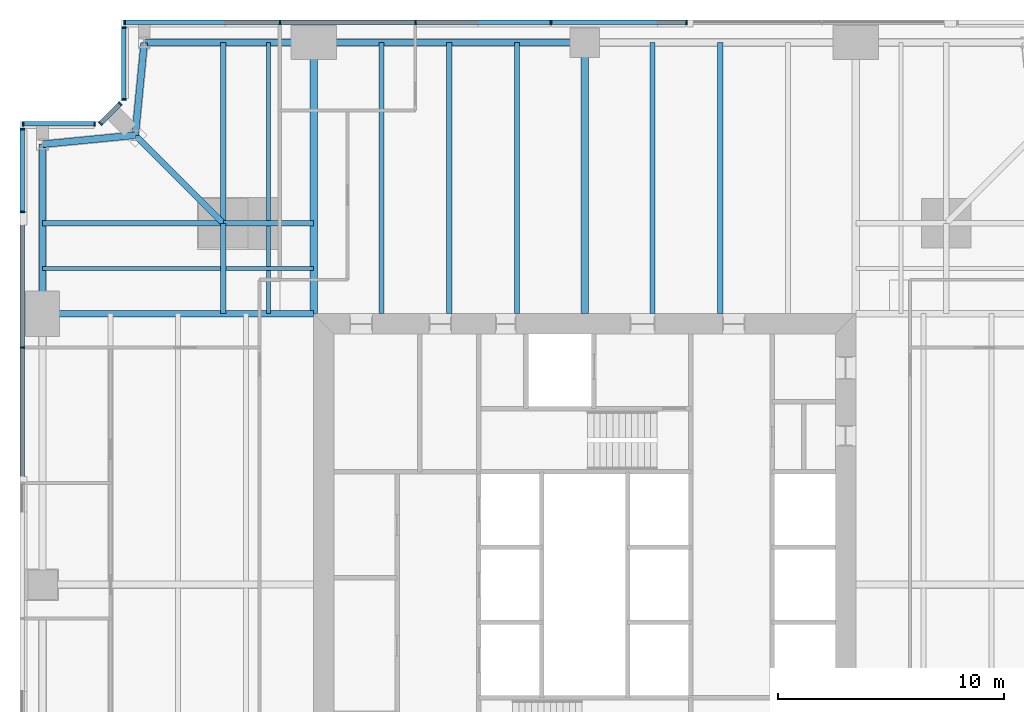
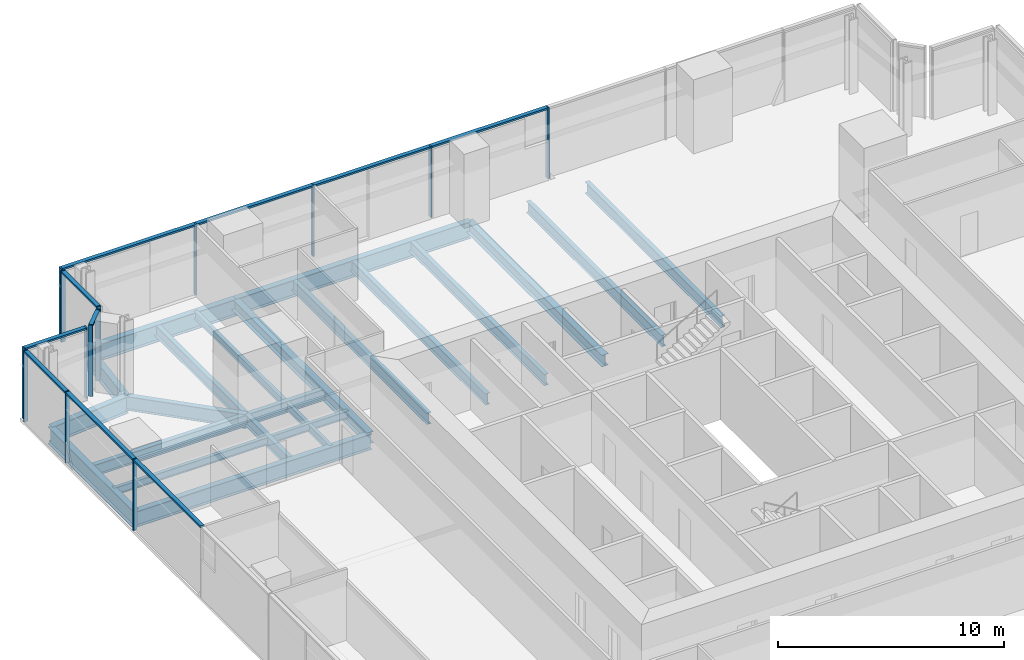
# One storey, part 6 of 13: 24 members, 23 beams, 5 elements without a shape of their own.
"""IFC4 building model written with IfcOpenShell, lengths in metres."""

from ifc_helpers import new_model, si_unit, direction, frame, origin, origin_2d, place, context, subcontext, project, spatial, rectangle, i_section, extrude, material, material_profile, profile_set, type_object, element, aggregate, save


model = new_model("IFC4")

# Units and contexts
model_context = context("Model", 3, precision=1e-05, world=origin(), true_north=direction((0.0, 1.0)))
body_context = subcontext(model_context, "Body", "Model", "MODEL_VIEW")
ifc_project = project(units=[si_unit("LENGTHUNIT", "METRE"), si_unit("AREAUNIT", "SQUARE_METRE"), si_unit("VOLUMEUNIT", "CUBIC_METRE"), si_unit("PLANEANGLEUNIT", "RADIAN"), si_unit("MASSUNIT", "GRAM", prefix="KILO")], contexts=[model_context])

# Site, building, storey
site_placement = place(None, origin())
site = spatial("IfcSite", under=ifc_project, at=site_placement, CompositionType="ELEMENT")
building_placement = place(site_placement, origin())
building = spatial("IfcBuilding", under=site, at=building_placement, Name="Fenwick Lantern Interchange", CompositionType="ELEMENT")
storey_placement = place(building_placement, frame((0.0, 0.0, 142.39990234375)))
storey = spatial("IfcBuildingStorey", under=building, at=storey_placement, Name="L33", CompositionType="ELEMENT", Elevation=142.39990234375)

# Beams
ifc_material_1 = material(Name="Steel ASTM A992 Grade 50", Category="steel")
ifc_material_profile_1 = material_profile(ifc_material_1, i_section(OverallWidth=0.3046875, OverallDepth=0.911865234375, WebThickness=0.015869140625, FlangeThickness=0.02392578125, at=origin_2d()), Name="W36X150")
ifc_profile_set_1 = profile_set([ifc_material_profile_1], Name="Steel ASTM A992 Grade 50")
beam_type_1 = type_object("IfcBeamType", Name="EDGE BEAM W36X150", PredefinedType="SPANDREL", material=ifc_profile_set_1)
beam_1_placement = place(storey_placement, frame((25.0, 49.0, -0.605712890625), z_axis=(-1.0, 0.0, 0.0), x_axis=(0.0, -1.0, 0.0)))
element("IfcBeam", 1, at=beam_1_placement, inside=storey, type_object=beam_type_1, Name="L33/FR/N/EB3", PredefinedType="SPANDREL", context=body_context, shape_type="SweptSolid", body=[
    extrude(i_section(OverallWidth=0.3046875, OverallDepth=0.911865234375, WebThickness=0.015869140625, FlangeThickness=0.02392578125, at=origin_2d()), origin(), (0.0, 0.0, 1.0), 12.0),
])
beam_2_placement = place(storey_placement, frame((13.0, 49.0, -0.605712890625), z_axis=(-1.0, 0.0, 0.0), x_axis=(0.0, -1.0, 0.0)))
element("IfcBeam", 2, at=beam_2_placement, inside=storey, type_object=beam_type_1, Name="L33/FR/N/EB4", PredefinedType="SPANDREL", context=body_context, shape_type="SweptSolid", body=[
    extrude(i_section(OverallWidth=0.3046875, OverallDepth=0.911865234375, WebThickness=0.015869140625, FlangeThickness=0.02392578125, at=origin_2d()), origin(), (0.0, 0.0, 1.0), 7.5),
])
for number, where, z_axis, x_axis, name in (
    (3, (5.5, 49.0, -0.605712890625), (-0.097074191287, -0.995277148028, 0.0), (0.995277148028, -0.097074191287, 0.0), "L33/FR/N/EBR1"),
    (4, (5.10009765625, 44.89990234375, -0.605712890625), (-0.995277148028, -0.097074191287, 0.0), (0.097074191287, -0.995277148028, 0.0), "L33/FR/N/EBR2"),
):
    element("IfcBeam", number, at=place(storey_placement, frame(where, z_axis=z_axis, x_axis=x_axis)), inside=storey, type_object=beam_type_1, Name=name, PredefinedType="SPANDREL", context=body_context, shape_type="SweptSolid", body=[
        extrude(i_section(OverallWidth=0.3046875, OverallDepth=0.911865234375, WebThickness=0.015869140625, FlangeThickness=0.02392578125, at=origin_2d()), origin(), (0.0, 0.0, 1.0), 4.11962890625),
    ])
beam_3_placement = place(storey_placement, frame((1.0, 44.5, -0.605712890625), z_axis=(0.0, -1.0, 0.0), x_axis=(1.0, 0.0, 0.0)))
element("IfcBeam", 5, at=beam_3_placement, inside=storey, type_object=beam_type_1, Name="L33/FR/W/EB1", PredefinedType="SPANDREL", context=body_context, shape_type="SweptSolid", body=[
    extrude(i_section(OverallWidth=0.3046875, OverallDepth=0.911865234375, WebThickness=0.015869140625, FlangeThickness=0.02392578125, at=origin_2d()), origin(), (0.0, 0.0, 1.0), 7.5),
])
ifc_material_profile_2 = material_profile(ifc_material_1, i_section(OverallWidth=0.22900390625, OverallDepth=0.612060546875, WebThickness=0.011962890625, FlangeThickness=0.01953125, at=origin_2d()), Name="W24X84")
ifc_profile_set_2 = profile_set([ifc_material_profile_2], Name="Steel ASTM A992 Grade 50")
beam_type_2 = type_object("IfcBeamType", Name="FLOOR BEAM W24X84", PredefinedType="BEAM", material=ifc_profile_set_2)
for number, where, z_axis, x_axis, name in (
    (6, (31.0, 49.0, -0.4560546875), (0.0, -1.0, 0.0), (1.0, 0.0, 0.0), "L33/FR/N/R03"),
    (7, (28.0, 49.0, -0.4560546875), (0.0, -1.0, 0.0), (1.0, 0.0, 0.0), "L33/FR/N/R04"),
    (8, (22.0, 49.0, -0.4560546875), (0.0, -1.0, 0.0), (1.0, 0.0, 0.0), "L33/FR/N/R06"),
    (9, (19.0, 49.0, -0.4560546875), (0.0, -1.0, 0.0), (1.0, 0.0, 0.0), "L33/FR/N/R07"),
    (10, (16.0, 49.0, -0.4560546875), (0.0, -1.0, 0.0), (1.0, 0.0, 0.0), "L33/FR/N/R08"),
):
    element("IfcBeam", number, at=place(storey_placement, frame(where, z_axis=z_axis, x_axis=x_axis)), inside=storey, type_object=beam_type_2, Name=name, PredefinedType="BEAM", context=body_context, shape_type="SweptSolid", body=[
        extrude(i_section(OverallWidth=0.22900390625, OverallDepth=0.612060546875, WebThickness=0.011962890625, FlangeThickness=0.01953125, at=origin_2d()), origin(), (0.0, 0.0, 1.0), 12.0),
    ])
ifc_material_profile_3 = material_profile(ifc_material_1, i_section(OverallWidth=0.177734375, OverallDepth=0.406494140625, WebThickness=0.0078125, FlangeThickness=0.012939453125, at=origin_2d()), Name="W16X40")
ifc_profile_set_3 = profile_set([ifc_material_profile_3], Name="Steel ASTM A992 Grade 50")
beam_type_3 = type_object("IfcBeamType", Name="INFILL BEAM W16X40", PredefinedType="JOIST", material=ifc_profile_set_3)
beam_4_placement = place(storey_placement, frame((1.0, 39.0, -0.35302734375), z_axis=(1.0, 0.0, 0.0), x_axis=(0.0, 1.0, 0.0)))
element("IfcBeam", 11, at=beam_4_placement, inside=storey, type_object=beam_type_3, Name="L33/FR/W/J1", PredefinedType="JOIST", context=body_context, shape_type="SweptSolid", body=[
    extrude(i_section(OverallWidth=0.177734375, OverallDepth=0.406494140625, WebThickness=0.0078125, FlangeThickness=0.012939453125, at=origin_2d()), origin(), (0.0, 0.0, 1.0), 7.885498046875),
])
beam_5_placement = place(storey_placement, frame((9.114501953125, 39.0, -0.35302734375), z_axis=(1.0, 0.0, 0.0), x_axis=(0.0, 1.0, 0.0)))
element("IfcBeam", 12, at=beam_5_placement, inside=storey, type_object=beam_type_3, Name="L33/FR/W/J2", PredefinedType="JOIST", context=body_context, shape_type="SweptSolid", body=[
    extrude(i_section(OverallWidth=0.177734375, OverallDepth=0.406494140625, WebThickness=0.0078125, FlangeThickness=0.012939453125, at=origin_2d()), origin(), (0.0, 0.0, 1.0), 3.885498046875),
])
beam_6_placement = place(storey_placement, frame((11.0, 49.0, -0.35302734375), z_axis=(0.0, -1.0, 0.0), x_axis=(1.0, 0.0, 0.0)))
element("IfcBeam", 13, at=beam_6_placement, inside=storey, type_object=beam_type_3, Name="L33/FR/W/J3", PredefinedType="JOIST", context=body_context, shape_type="SweptSolid", body=[
    extrude(i_section(OverallWidth=0.177734375, OverallDepth=0.406494140625, WebThickness=0.0078125, FlangeThickness=0.012939453125, at=origin_2d()), origin(), (0.0, 0.0, 1.0), 7.885498046875),
])
beam_7_placement = place(storey_placement, frame((11.0, 40.885498046875, -0.35302734375), z_axis=(0.0, -1.0, 0.0), x_axis=(1.0, 0.0, 0.0)))
element("IfcBeam", 14, at=beam_7_placement, inside=storey, type_object=beam_type_3, Name="L33/FR/W/J4", PredefinedType="JOIST", context=body_context, shape_type="SweptSolid", body=[
    extrude(i_section(OverallWidth=0.177734375, OverallDepth=0.406494140625, WebThickness=0.0078125, FlangeThickness=0.012939453125, at=origin_2d()), origin(), (0.0, 0.0, 1.0), 1.796630859375),
])
beam_8_placement = place(storey_placement, frame((11.0, 38.9111328125, -0.35302734375), z_axis=(0.0, -1.0, 0.0), x_axis=(1.0, 0.0, 0.0)))
element("IfcBeam", 15, at=beam_8_placement, inside=storey, type_object=beam_type_3, Name="L33/FR/W/J5", PredefinedType="JOIST", context=body_context, shape_type="SweptSolid", body=[
    extrude(i_section(OverallWidth=0.177734375, OverallDepth=0.406494140625, WebThickness=0.0078125, FlangeThickness=0.012939453125, at=origin_2d()), origin(), (0.0, 0.0, 1.0), 1.9111328125),
])
ifc_material_profile_4 = material_profile(ifc_material_1, i_section(OverallWidth=0.22900390625, OverallDepth=0.612060546875, WebThickness=0.011962890625, FlangeThickness=0.01953125, at=origin_2d()), Name="W24X84")
ifc_profile_set_4 = profile_set([ifc_material_profile_4], Name="Steel ASTM A992 Grade 50")
beam_type_4 = type_object("IfcBeamType", Name="MEGA COLUMN BEAM W24X84", PredefinedType="BEAM", material=ifc_profile_set_4)
for number, where, z_axis, x_axis, name in (
    (16, (9.0, 41.0, -0.4560546875), (-1.0, 0.0, 0.0), (0.0, -1.0, 0.0), "L33/FR/W/MB1"),
    (17, (9.0, 41.0, -0.4560546875), (0.0, 1.0, 0.0), (-1.0, 0.0, 0.0), "L33/FR/W/MB2"),
):
    element("IfcBeam", number, at=place(storey_placement, frame(where, z_axis=z_axis, x_axis=x_axis)), inside=storey, type_object=beam_type_4, Name=name, PredefinedType="BEAM", context=body_context, shape_type="SweptSolid", body=[
        extrude(i_section(OverallWidth=0.22900390625, OverallDepth=0.612060546875, WebThickness=0.011962890625, FlangeThickness=0.01953125, at=origin_2d()), origin(), (0.0, 0.0, 1.0), 8.0),
    ])
for number, where, z_axis, x_axis, name in (
    (18, (9.0, 41.0, -0.4560546875), (0.0, -1.0, 0.0), (1.0, 0.0, 0.0), "L33/FR/W/MB3"),
    (19, (9.0, 41.0, -0.4560546875), (1.0, 0.0, 0.0), (0.0, 1.0, 0.0), "L33/FR/W/MB4"),
):
    element("IfcBeam", number, at=place(storey_placement, frame(where, z_axis=z_axis, x_axis=x_axis)), inside=storey, type_object=beam_type_4, Name=name, PredefinedType="BEAM", context=body_context, shape_type="SweptSolid", body=[
        extrude(i_section(OverallWidth=0.22900390625, OverallDepth=0.612060546875, WebThickness=0.011962890625, FlangeThickness=0.01953125, at=origin_2d()), origin(), (0.0, 0.0, 1.0), 4.0),
    ])
ifc_material_profile_5 = material_profile(ifc_material_1, i_section(OverallWidth=0.32763671875, OverallDepth=0.622314453125, WebThickness=0.015380859375, FlangeThickness=0.0244140625, at=origin_2d()), Name="W24X131")
ifc_profile_set_5 = profile_set([ifc_material_profile_5], Name="Steel ASTM A992 Grade 50")
beam_type_5 = type_object("IfcBeamType", Name="MOMENT-CONNECTED GIRDER W24X131", PredefinedType="BEAM", material=ifc_profile_set_5)
for number, where, z_axis, x_axis, name in (
    (20, (25.0, 49.0, -0.4609375), (0.0, -1.0, 0.0), (1.0, 0.0, 0.0), "L33/FR/N/R05"),
    (21, (13.0, 49.0, -0.4609375), (0.0, -1.0, 0.0), (1.0, 0.0, 0.0), "L33/FR/N/R09"),
):
    element("IfcBeam", number, at=place(storey_placement, frame(where, z_axis=z_axis, x_axis=x_axis)), inside=storey, type_object=beam_type_5, Name=name, PredefinedType="BEAM", context=body_context, shape_type="SweptSolid", body=[
        extrude(i_section(OverallWidth=0.32763671875, OverallDepth=0.622314453125, WebThickness=0.015380859375, FlangeThickness=0.0244140625, at=origin_2d()), origin(), (0.0, 0.0, 1.0), 12.0),
    ])
ifc_material_profile_6 = material_profile(ifc_material_1, i_section(OverallWidth=0.2919921875, OverallDepth=0.845703125, WebThickness=0.015380859375, FlangeThickness=0.0244140625, at=origin_2d()), Name="W33X141")
ifc_profile_set_6 = profile_set([ifc_material_profile_6], Name="Steel ASTM A992 Grade 50")
beam_type_6 = type_object("IfcBeamType", Name="MOMENT-CONNECTED GIRDER W33X141", PredefinedType="BEAM", material=ifc_profile_set_6)
beam_9_placement = place(storey_placement, frame((1.0, 37.0, -0.57275390625), z_axis=(1.0, 0.0, 0.0), x_axis=(0.0, 1.0, 0.0)))
element("IfcBeam", 22, at=beam_9_placement, inside=storey, type_object=beam_type_6, Name="L33/FR/W/R01", PredefinedType="BEAM", context=body_context, shape_type="SweptSolid", body=[
    extrude(i_section(OverallWidth=0.2919921875, OverallDepth=0.845703125, WebThickness=0.015380859375, FlangeThickness=0.0244140625, at=origin_2d()), origin(), (0.0, 0.0, 1.0), 12.0),
])
ifc_material_profile_7 = material_profile(ifc_material_1, i_section(OverallWidth=0.2666015625, OverallDepth=0.7568359375, WebThickness=0.013916015625, FlangeThickness=0.019287109375, at=origin_2d()), Name="W30X108")
ifc_profile_set_7 = profile_set([ifc_material_profile_7], Name="Steel ASTM A992 Grade 50")
beam_type_7 = type_object("IfcBeamType", Name="NOTCH BEAM W30X108", PredefinedType="BEAM", material=ifc_profile_set_7)
beam_10_placement = place(storey_placement, frame((9.0, 41.0, -0.5283203125), z_axis=(-0.707106781187, 0.707106781187, 0.0), x_axis=(-0.707106781187, -0.707106781187, 0.0)))
element("IfcBeam", 23, at=beam_10_placement, inside=storey, type_object=beam_type_7, Name="L33/FR/W/TG", PredefinedType="BEAM", context=body_context, shape_type="SweptSolid", body=[
    extrude(i_section(OverallWidth=0.2666015625, OverallDepth=0.7568359375, WebThickness=0.013916015625, FlangeThickness=0.019287109375, at=origin_2d()), origin(), (0.0, 0.0, 1.0), 5.515380859375),
])

# Curtain wall, members
ifc_material_2 = material(Name="Aluminium curtain wall frame", Category="aluminium")
curtain_wall_type = type_object("IfcCurtainWallType", Name="OFFICE CURTAIN WALL", PredefinedType="USERDEFINED", material=ifc_material_2)
curtain_wall_1_placement = place(storey_placement, origin())
curtain_wall_1 = element("IfcCurtainWall", 24, at=curtain_wall_1_placement, inside=storey, type_object=curtain_wall_type, Name="Office curtain wall 09", ObjectType="OFFICE CURTAIN WALL", PredefinedType="USERDEFINED")
ifc_material_3 = material(Name="Aluminium extrusion", Category="aluminium")
ifc_material_profile_8 = material_profile(ifc_material_3, rectangle(XDim=0.199951171875, YDim=0.06494140625, at=origin_2d()), Name="OFFICE CURTAIN WALL MULLION 65 X 200")
ifc_profile_set_8 = profile_set([ifc_material_profile_8], Name="Aluminium extrusion")
member_type_1 = type_object("IfcMemberType", Name="OFFICE CURTAIN WALL MULLION 65 X 200", PredefinedType="MULLION", material=ifc_profile_set_8)
member_1_placement = place(storey_placement, frame((29.5, 49.89990234375, 0.0), z_axis=(0.0, 0.0, 1.0), x_axis=(0.0, -1.0, 0.0)))
member_1 = element("IfcMember", 25, at=member_1_placement, type_object=member_type_1, Name="L33/CW/09/M03", PredefinedType="MULLION", context=body_context, shape_type="SweptSolid", body=[
    extrude(rectangle(XDim=0.199951171875, YDim=0.06494140625, at=origin_2d()), origin(), (0.0, 0.0, 1.0), 3.85009765625),
])
member_2_placement = place(storey_placement, frame((23.5, 49.89990234375, 0.0), z_axis=(0.0, 0.0, 1.0), x_axis=(0.0, -1.0, 0.0)))
member_2 = element("IfcMember", 26, at=member_2_placement, type_object=member_type_1, Name="L33/CW/09/M04", PredefinedType="MULLION", context=body_context, shape_type="SweptSolid", body=[
    extrude(rectangle(XDim=0.199951171875, YDim=0.06494140625, at=origin_2d()), origin(), (0.0, 0.0, 1.0), 3.85009765625),
])
member_3_placement = place(storey_placement, frame((17.5, 49.89990234375, 0.0), z_axis=(0.0, 0.0, 1.0), x_axis=(0.0, -1.0, 0.0)))
member_3 = element("IfcMember", 27, at=member_3_placement, type_object=member_type_1, Name="L33/CW/09/M05", PredefinedType="MULLION", context=body_context, shape_type="SweptSolid", body=[
    extrude(rectangle(XDim=0.199951171875, YDim=0.06494140625, at=origin_2d()), origin(), (0.0, 0.0, 1.0), 3.85009765625),
])
member_4_placement = place(storey_placement, frame((11.5, 49.89990234375, 0.0), z_axis=(0.0, 0.0, 1.0), x_axis=(0.0, -1.0, 0.0)))
member_4 = element("IfcMember", 28, at=member_4_placement, type_object=member_type_1, Name="L33/CW/09/M06", PredefinedType="MULLION", context=body_context, shape_type="SweptSolid", body=[
    extrude(rectangle(XDim=0.199951171875, YDim=0.06494140625, at=origin_2d()), origin(), (0.0, 0.0, 1.0), 3.85009765625),
])
member_5_placement = place(storey_placement, frame((4.632568359375, 49.89990234375, 0.0), z_axis=(0.0, 0.0, 1.0), x_axis=(0.0, -1.0, 0.0)))
member_5 = element("IfcMember", 29, at=member_5_placement, type_object=member_type_1, Name="L33/CW/09/M07", PredefinedType="MULLION", context=body_context, shape_type="SweptSolid", body=[
    extrude(rectangle(XDim=0.199951171875, YDim=0.06494140625, at=origin_2d()), origin(), (0.0, 0.0, 1.0), 3.85009765625),
])

curtain_wall_2_placement = place(storey_placement, origin())
curtain_wall_2 = element("IfcCurtainWall", 30, at=curtain_wall_2_placement, inside=storey, type_object=curtain_wall_type, Name="Office curtain wall 10", ObjectType="OFFICE CURTAIN WALL", PredefinedType="USERDEFINED")
member_6_placement = place(storey_placement, frame((4.60009765625, 49.66748046875, 0.0), z_axis=(0.0, 0.0, 1.0), x_axis=(1.0, 0.0, 0.0)))
member_6 = element("IfcMember", 31, at=member_6_placement, type_object=member_type_1, Name="L33/CW/10/M00", PredefinedType="MULLION", context=body_context, shape_type="SweptSolid", body=[
    extrude(rectangle(XDim=0.199951171875, YDim=0.06494140625, at=origin_2d()), origin(), (0.0, 0.0, 1.0), 3.85009765625),
])
member_7_placement = place(storey_placement, frame((4.60009765625, 46.490966796875, 0.0), z_axis=(0.0, 0.0, 1.0), x_axis=(1.0, 0.0, 0.0)))
member_7 = element("IfcMember", 32, at=member_7_placement, type_object=member_type_1, Name="L33/CW/10/M01", PredefinedType="MULLION", context=body_context, shape_type="SweptSolid", body=[
    extrude(rectangle(XDim=0.199951171875, YDim=0.06494140625, at=origin_2d()), origin(), (0.0, 0.0, 1.0), 3.85009765625),
])

curtain_wall_3_placement = place(storey_placement, origin())
curtain_wall_3 = element("IfcCurtainWall", 33, at=curtain_wall_3_placement, inside=storey, type_object=curtain_wall_type, Name="Office curtain wall 11", ObjectType="OFFICE CURTAIN WALL", PredefinedType="USERDEFINED")
member_8_placement = place(storey_placement, frame((4.435546875, 46.294189453125, 0.0), z_axis=(0.0, 0.0, 1.0), x_axis=(0.707106781187, -0.707106781187, 0.0)))
member_8 = element("IfcMember", 34, at=member_8_placement, type_object=member_type_1, Name="L33/CW/11/M00", PredefinedType="MULLION", context=body_context, shape_type="SweptSolid", body=[
    extrude(rectangle(XDim=0.199951171875, YDim=0.06494140625, at=origin_2d()), origin(), (0.0, 0.0, 1.0), 3.85009765625),
])
member_9_placement = place(storey_placement, frame((3.564453125, 45.423095703125, 0.0), z_axis=(0.0, 0.0, 1.0), x_axis=(0.707106781187, -0.707106781187, 0.0)))
member_9 = element("IfcMember", 35, at=member_9_placement, type_object=member_type_1, Name="L33/CW/11/M01", PredefinedType="MULLION", context=body_context, shape_type="SweptSolid", body=[
    extrude(rectangle(XDim=0.199951171875, YDim=0.06494140625, at=origin_2d()), origin(), (0.0, 0.0, 1.0), 3.85009765625),
])

curtain_wall_4_placement = place(storey_placement, origin())
curtain_wall_4 = element("IfcCurtainWall", 36, at=curtain_wall_4_placement, inside=storey, type_object=curtain_wall_type, Name="Office curtain wall 12", ObjectType="OFFICE CURTAIN WALL", PredefinedType="USERDEFINED")
member_10_placement = place(storey_placement, frame((3.308837890625, 45.39990234375, 0.0), z_axis=(0.0, 0.0, 1.0), x_axis=(0.0, -1.0, 0.0)))
member_10 = element("IfcMember", 37, at=member_10_placement, type_object=member_type_1, Name="L33/CW/12/M00", PredefinedType="MULLION", context=body_context, shape_type="SweptSolid", body=[
    extrude(rectangle(XDim=0.199951171875, YDim=0.06494140625, at=origin_2d()), origin(), (0.0, 0.0, 1.0), 3.85009765625),
])
member_11_placement = place(storey_placement, frame((0.132568359375, 45.39990234375, 0.0), z_axis=(0.0, 0.0, 1.0), x_axis=(0.0, -1.0, 0.0)))
member_11 = element("IfcMember", 38, at=member_11_placement, type_object=member_type_1, Name="L33/CW/12/M01", PredefinedType="MULLION", context=body_context, shape_type="SweptSolid", body=[
    extrude(rectangle(XDim=0.199951171875, YDim=0.06494140625, at=origin_2d()), origin(), (0.0, 0.0, 1.0), 3.85009765625),
])

curtain_wall_5_placement = place(storey_placement, origin())
curtain_wall_5 = element("IfcCurtainWall", 39, at=curtain_wall_5_placement, inside=storey, type_object=curtain_wall_type, Name="Office curtain wall 13", ObjectType="OFFICE CURTAIN WALL", PredefinedType="USERDEFINED")
member_12_placement = place(storey_placement, frame((0.10009765625, 45.16748046875, 0.0), z_axis=(0.0, 0.0, 1.0), x_axis=(1.0, 0.0, 0.0)))
member_12 = element("IfcMember", 40, at=member_12_placement, type_object=member_type_1, Name="L33/CW/13/M00", PredefinedType="MULLION", context=body_context, shape_type="SweptSolid", body=[
    extrude(rectangle(XDim=0.199951171875, YDim=0.06494140625, at=origin_2d()), origin(), (0.0, 0.0, 1.0), 3.85009765625),
])
member_13_placement = place(storey_placement, frame((0.10009765625, 41.5, 0.0), z_axis=(0.0, 0.0, 1.0), x_axis=(1.0, 0.0, 0.0)))
member_13 = element("IfcMember", 41, at=member_13_placement, type_object=member_type_1, Name="L33/CW/13/M01", PredefinedType="MULLION", context=body_context, shape_type="SweptSolid", body=[
    extrude(rectangle(XDim=0.199951171875, YDim=0.06494140625, at=origin_2d()), origin(), (0.0, 0.0, 1.0), 3.85009765625),
])
member_14_placement = place(storey_placement, frame((0.10009765625, 35.5, 0.0), z_axis=(0.0, 0.0, 1.0), x_axis=(1.0, 0.0, 0.0)))
member_14 = element("IfcMember", 42, at=member_14_placement, type_object=member_type_1, Name="L33/CW/13/M02", PredefinedType="MULLION", context=body_context, shape_type="SweptSolid", body=[
    extrude(rectangle(XDim=0.199951171875, YDim=0.06494140625, at=origin_2d()), origin(), (0.0, 0.0, 1.0), 3.85009765625),
])

# Member
ifc_material_profile_9 = material_profile(ifc_material_3, rectangle(XDim=0.199951171875, YDim=0.10009765625, at=origin_2d()), Name="OFFICE CURTAIN WALL TRANSOM 100 X 200")
ifc_profile_set_9 = profile_set([ifc_material_profile_9], Name="Aluminium extrusion")
member_type_2 = type_object("IfcMemberType", Name="OFFICE CURTAIN WALL TRANSOM 100 X 200", PredefinedType="MULLION", material=ifc_profile_set_9)
member_15_placement = place(storey_placement, frame((29.467529296875, 49.89990234375, 3.800048828125), z_axis=(-1.0, 0.0, 0.0), x_axis=(0.0, -1.0, 0.0)))
member_15 = element("IfcMember", 43, at=member_15_placement, type_object=member_type_2, Name="L33/CW/09/T03", PredefinedType="MULLION", context=body_context, shape_type="SweptSolid", body=[
    extrude(rectangle(XDim=0.199951171875, YDim=0.10009765625, at=origin_2d()), origin(), (0.0, 0.0, 1.0), 5.93505859375),
])

member_16_placement = place(storey_placement, frame((23.467529296875, 49.89990234375, 3.800048828125), z_axis=(-1.0, 0.0, 0.0), x_axis=(0.0, -1.0, 0.0)))
member_16 = element("IfcMember", 44, at=member_16_placement, type_object=member_type_2, Name="L33/CW/09/T04", PredefinedType="MULLION", context=body_context, shape_type="SweptSolid", body=[
    extrude(rectangle(XDim=0.199951171875, YDim=0.10009765625, at=origin_2d()), origin(), (0.0, 0.0, 1.0), 5.93505859375),
])

member_17_placement = place(storey_placement, frame((17.467529296875, 49.89990234375, 3.800048828125), z_axis=(-1.0, 0.0, 0.0), x_axis=(0.0, -1.0, 0.0)))
member_17 = element("IfcMember", 45, at=member_17_placement, type_object=member_type_2, Name="L33/CW/09/T05", PredefinedType="MULLION", context=body_context, shape_type="SweptSolid", body=[
    extrude(rectangle(XDim=0.199951171875, YDim=0.10009765625, at=origin_2d()), origin(), (0.0, 0.0, 1.0), 5.93505859375),
])

member_18_placement = place(storey_placement, frame((11.467529296875, 49.89990234375, 3.800048828125), z_axis=(-1.0, 0.0, 0.0), x_axis=(0.0, -1.0, 0.0)))
member_18 = element("IfcMember", 46, at=member_18_placement, type_object=member_type_2, Name="L33/CW/09/T06", PredefinedType="MULLION", context=body_context, shape_type="SweptSolid", body=[
    extrude(rectangle(XDim=0.199951171875, YDim=0.10009765625, at=origin_2d()), origin(), (0.0, 0.0, 1.0), 6.802490234375),
])

aggregate(curtain_wall_1, [member_1, member_2, member_3, member_4, member_5, member_15, member_16, member_17, member_18])

member_19_placement = place(storey_placement, frame((4.60009765625, 49.635009765625, 3.800048828125), z_axis=(0.0, -1.0, 0.0), x_axis=(1.0, 0.0, 0.0)))
member_19 = element("IfcMember", 47, at=member_19_placement, type_object=member_type_2, Name="L33/CW/10/T00", PredefinedType="MULLION", context=body_context, shape_type="SweptSolid", body=[
    extrude(rectangle(XDim=0.199951171875, YDim=0.10009765625, at=origin_2d()), origin(), (0.0, 0.0, 1.0), 3.111328125),
])

aggregate(curtain_wall_2, [member_6, member_7, member_19])

member_20_placement = place(storey_placement, frame((4.41259765625, 46.271240234375, 3.800048828125), z_axis=(-0.707106781187, -0.707106781187, 0.0), x_axis=(0.707106781187, -0.707106781187, 0.0)))
member_20 = element("IfcMember", 48, at=member_20_placement, type_object=member_type_2, Name="L33/CW/11/T00", PredefinedType="MULLION", context=body_context, shape_type="SweptSolid", body=[
    extrude(rectangle(XDim=0.199951171875, YDim=0.10009765625, at=origin_2d()), origin(), (0.0, 0.0, 1.0), 1.1669921875),
])

aggregate(curtain_wall_3, [member_8, member_9, member_20])

member_21_placement = place(storey_placement, frame((3.2763671875, 45.39990234375, 3.800048828125), z_axis=(-1.0, 0.0, 0.0), x_axis=(0.0, -1.0, 0.0)))
member_21 = element("IfcMember", 49, at=member_21_placement, type_object=member_type_2, Name="L33/CW/12/T00", PredefinedType="MULLION", context=body_context, shape_type="SweptSolid", body=[
    extrude(rectangle(XDim=0.199951171875, YDim=0.10009765625, at=origin_2d()), origin(), (0.0, 0.0, 1.0), 3.111328125),
])

aggregate(curtain_wall_4, [member_10, member_11, member_21])

member_22_placement = place(storey_placement, frame((0.10009765625, 45.135009765625, 3.800048828125), z_axis=(0.0, -1.0, 0.0), x_axis=(1.0, 0.0, 0.0)))
member_22 = element("IfcMember", 50, at=member_22_placement, type_object=member_type_2, Name="L33/CW/13/T00", PredefinedType="MULLION", context=body_context, shape_type="SweptSolid", body=[
    extrude(rectangle(XDim=0.199951171875, YDim=0.10009765625, at=origin_2d()), origin(), (0.0, 0.0, 1.0), 3.6025390625),
])

member_23_placement = place(storey_placement, frame((0.10009765625, 41.467529296875, 3.800048828125), z_axis=(0.0, -1.0, 0.0), x_axis=(1.0, 0.0, 0.0)))
member_23 = element("IfcMember", 51, at=member_23_placement, type_object=member_type_2, Name="L33/CW/13/T01", PredefinedType="MULLION", context=body_context, shape_type="SweptSolid", body=[
    extrude(rectangle(XDim=0.199951171875, YDim=0.10009765625, at=origin_2d()), origin(), (0.0, 0.0, 1.0), 5.93505859375),
])

member_24_placement = place(storey_placement, frame((0.10009765625, 35.467529296875, 3.800048828125), z_axis=(0.0, -1.0, 0.0), x_axis=(1.0, 0.0, 0.0)))
member_24 = element("IfcMember", 52, at=member_24_placement, type_object=member_type_2, Name="L33/CW/13/T02", PredefinedType="MULLION", context=body_context, shape_type="SweptSolid", body=[
    extrude(rectangle(XDim=0.199951171875, YDim=0.10009765625, at=origin_2d()), origin(), (0.0, 0.0, 1.0), 5.93505859375),
])

aggregate(curtain_wall_5, [member_12, member_13, member_14, member_22, member_23, member_24])

save(model, "model.ifc")
